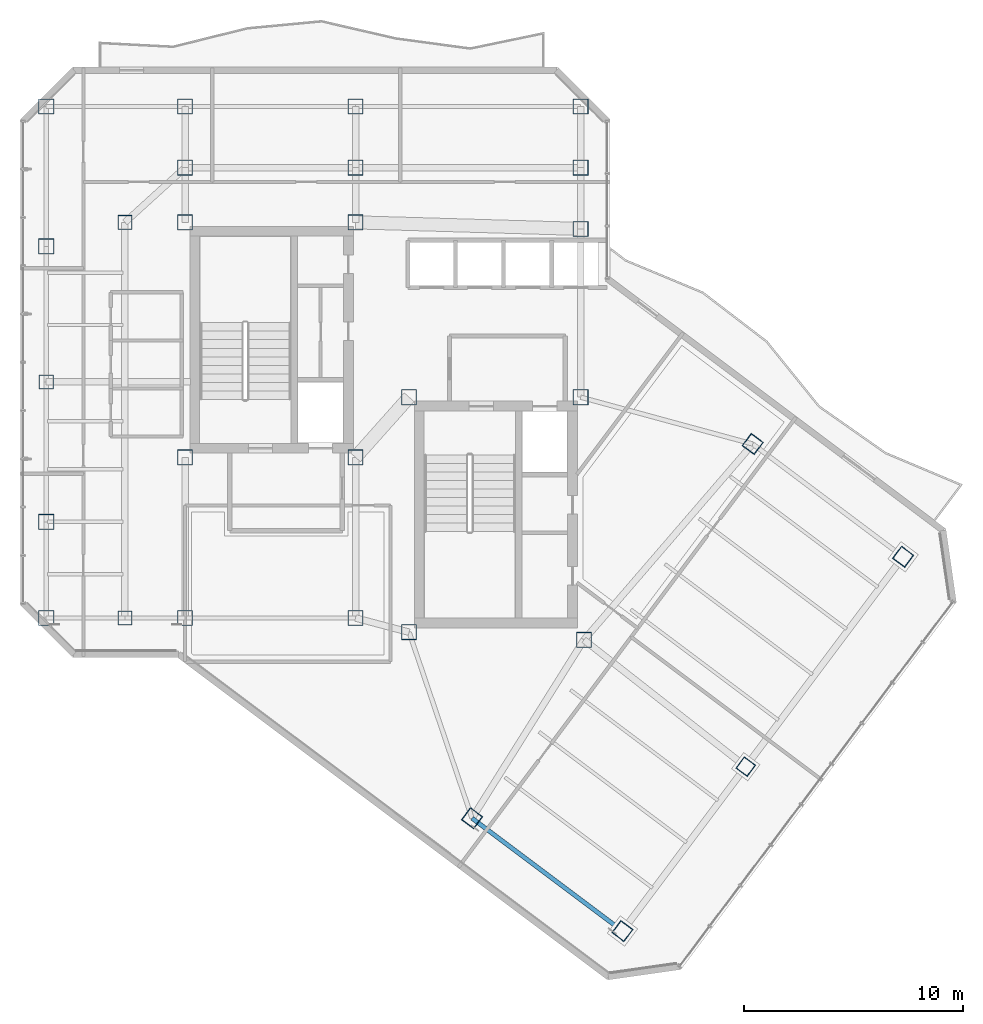
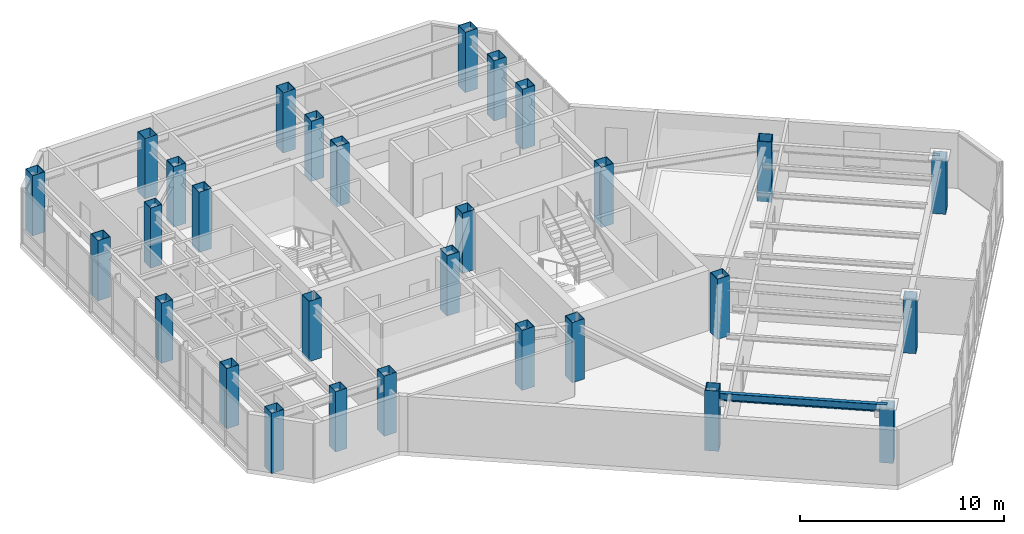
# One storey, part 1 of 25: 29 columns, 1 beam.
"""IFC4 building model written with IfcOpenShell, lengths in metres."""

from ifc_helpers import new_model, si_unit, direction, frame, origin, origin_2d, place, context, subcontext, project, spatial, hollow_rectangle, i_section, extrude, material, material_profile, profile_set, type_object, element, save


model = new_model("IFC4")

# Units and contexts
model_context = context("Model", 3, precision=1e-05, world=origin(), true_north=direction((0.0, 1.0)))
body_context = subcontext(model_context, "Body", "Model", "MODEL_VIEW")
ifc_project = project(units=[si_unit("LENGTHUNIT", "METRE"), si_unit("AREAUNIT", "SQUARE_METRE"), si_unit("VOLUMEUNIT", "CUBIC_METRE"), si_unit("PLANEANGLEUNIT", "RADIAN"), si_unit("MASSUNIT", "GRAM", prefix="KILO")], contexts=[model_context])

# Site, building, storey
site_placement = place(None, origin())
site = spatial("IfcSite", under=ifc_project, at=site_placement, CompositionType="ELEMENT")
building_placement = place(site_placement, origin())
building = spatial("IfcBuilding", under=site, at=building_placement, Name="Hatsunagi Terrace Concourse", CompositionType="ELEMENT")
storey_placement = place(building_placement, frame((0.0, 0.0, 231.14990234375)))
storey = spatial("IfcBuildingStorey", under=building, at=storey_placement, Name="L61", CompositionType="ELEMENT", Elevation=231.14990234375)

# Columns
ifc_material_1 = material(Name="Steel BCP325T", Category="steel")
ifc_material_profile_1 = material_profile(ifc_material_1, hollow_rectangle(XDim=0.64990234375, YDim=0.64990234375, WallThickness=0.02490234375, at=origin_2d()), Name="BCP-650x650x25")
ifc_profile_set_1 = profile_set([ifc_material_profile_1], Name="Steel BCP325T")
column_type_1 = type_object("IfcColumnType", Name="TowerBoxColumn_650x650x25", PredefinedType="COLUMN", material=ifc_profile_set_1)
for number, where, z_axis, x_axis, name in (
    (1, (22.800048828125, 25.199951171875, 0.0), (0.0, 0.0, 1.0), (1.0, 0.0, 0.0), "Column C-09 L61-CW1"),
    (2, (22.800048828125, 43.300048828125, 0.0), (0.0, 0.0, 1.0), (1.0, 0.0, 0.0), "Column C-09 L61-CW2"),
    (3, (19.199951171875, 36.0, 0.0), (0.0, 0.0, 1.0), (1.0, 0.0, 0.0), "Column C-09 L61-WT2"),
):
    element("IfcColumn", number, at=place(storey_placement, frame(where, z_axis=z_axis, x_axis=x_axis)), inside=storey, type_object=column_type_1, Name=name, PredefinedType="COLUMN", context=body_context, shape_type="SweptSolid", body=[
        extrude(hollow_rectangle(XDim=0.64990234375, YDim=0.64990234375, WallThickness=0.02490234375, at=origin_2d()), origin(), (0.0, 0.0, 1.0), 3.60009765625),
    ])
column_placement = place(storey_placement, frame((51.199951171875, 18.39990234375, 0.0), z_axis=(0.0, 0.0, 1.0), x_axis=(0.799999996291, -0.600000004945, 0.0)))
element("IfcColumn", 4, at=column_placement, inside=storey, type_object=column_type_1, Name="Column C-09 L61-SEM2", PredefinedType="COLUMN", context=body_context, shape_type="SweptSolid", body=[
    extrude(hollow_rectangle(XDim=0.64990234375, YDim=0.64990234375, WallThickness=0.02490234375, at=origin_2d()), origin(), (0.0, 0.0, 1.0), 3.26806640625),
])
ifc_material_2 = material(Name="Steel BCP325T", Category="steel")
ifc_material_profile_2 = material_profile(ifc_material_2, hollow_rectangle(XDim=0.699951171875, YDim=0.699951171875, WallThickness=0.028076171875, at=origin_2d()), Name="BCP-700x700x28")
ifc_profile_set_2 = profile_set([ifc_material_profile_2], Name="Steel BCP325T")
column_type_2 = type_object("IfcColumnType", Name="TowerBoxColumn_700x700x28", PredefinedType="COLUMN", material=ifc_profile_set_2)
for number, where, z_axis, x_axis, name in (
    (5, (25.550048828125, 32.550048828125, 0.0), (0.0, 0.0, 1.0), (1.0, 0.0, 0.0), "Column C-08 L61-CASW"),
    (6, (33.35009765625, 32.550048828125, 0.0), (0.0, 0.0, 1.0), (1.0, 0.0, 0.0), "Column C-08 L61-CASE"),
    (7, (25.550048828125, 43.300048828125, 0.0), (0.0, 0.0, 1.0), (1.0, 0.0, 0.0), "Column C-08 L61-CANW"),
    (8, (33.35009765625, 43.300048828125, 0.0), (0.0, 0.0, 1.0), (1.0, 0.0, 0.0), "Column C-08 L61-CANE"),
    (9, (35.800048828125, 24.550048828125, 0.0), (0.0, 0.0, 1.0), (1.0, 0.0, 0.0), "Column C-08 L61-CBSW"),
    (10, (43.800048828125, 24.199951171875, 0.0), (0.0, 0.0, 1.0), (1.0, 0.0, 0.0), "Column C-08 L61-CBSE"),
    (11, (35.800048828125, 35.300048828125, 0.0), (0.0, 0.0, 1.0), (1.0, 0.0, 0.0), "Column C-08 L61-CBNW"),
    (12, (43.64990234375, 35.300048828125, 0.0), (0.0, 0.0, 1.0), (1.0, 0.0, 0.0), "Column C-08 L61-CBNE"),
    (13, (25.550048828125, 25.199951171875, 0.0), (0.0, 0.0, 1.0), (1.0, 0.0, 0.0), "Column C-08 L61-K1"),
    (14, (33.35009765625, 25.199951171875, 0.0), (0.0, 0.0, 1.0), (1.0, 0.0, 0.0), "Column C-08 L61-K2"),
    (15, (43.64990234375, 43.0, 0.0), (0.0, 0.0, 1.0), (1.0, 0.0, 0.0), "Column C-08 L61-K3"),
    (16, (25.550048828125, 45.800048828125, 0.0), (0.0, 0.0, 1.0), (1.0, 0.0, 0.0), "Column C-08 L61-CN1"),
    (17, (33.35009765625, 45.800048828125, 0.0), (0.0, 0.0, 1.0), (1.0, 0.0, 0.0), "Column C-08 L61-CN2"),
    (18, (43.64990234375, 45.800048828125, 0.0), (0.0, 0.0, 1.0), (1.0, 0.0, 0.0), "Column C-08 L61-CN3"),
    (19, (19.199951171875, 48.60009765625, 0.0), (0.0, 0.0, 1.0), (1.0, 0.0, 0.0), "Column C-08 L61-WN3"),
    (20, (25.550048828125, 48.60009765625, 0.0), (0.0, 0.0, 1.0), (1.0, 0.0, 0.0), "Column C-08 L61-WN4"),
    (21, (33.35009765625, 48.60009765625, 0.0), (0.0, 0.0, 1.0), (1.0, 0.0, 0.0), "Column C-08 L61-WN5"),
    (22, (43.64990234375, 48.60009765625, 0.0), (0.0, 0.0, 1.0), (1.0, 0.0, 0.0), "Column C-08 L61-WN6"),
    (23, (19.199951171875, 25.199951171875, 0.0), (0.0, 0.0, 1.0), (1.0, 0.0, 0.0), "Column C-08 L61-WS3"),
    (24, (19.199951171875, 29.60009765625, 0.0), (0.0, 0.0, 1.0), (1.0, 0.0, 0.0), "Column C-08 L61-WR1"),
    (25, (19.199951171875, 42.199951171875, 0.0), (0.0, 0.0, 1.0), (1.0, 0.0, 0.0), "Column C-08 L61-WR2"),
    (26, (38.679931640625, 16.0400390625, 0.0), (0.0, 0.0, 1.0), (0.799999996291, -0.600000004945, 0.0), "Column C-08 L61-SES1"),
    (27, (51.52001953125, 33.159912109375, 0.0), (0.0, 0.0, 1.0), (0.799999996291, -0.600000004945, 0.0), "Column C-08 L61-SEN1"),
):
    element("IfcColumn", number, at=place(storey_placement, frame(where, z_axis=z_axis, x_axis=x_axis)), inside=storey, type_object=column_type_2, Name=name, PredefinedType="COLUMN", context=body_context, shape_type="SweptSolid", body=[
        extrude(hollow_rectangle(XDim=0.699951171875, YDim=0.699951171875, WallThickness=0.028076171875, at=origin_2d()), origin(), (0.0, 0.0, 1.0), 3.60009765625),
    ])
for number, where, z_axis, x_axis, name in (
    (28, (45.56005859375, 10.8798828125, 0.0), (0.0, 0.0, 1.0), (0.799999996291, -0.600000004945, 0.0), "Column C-08 L61-SES2"),
    (29, (58.39990234375, 28.0, 0.0), (0.0, 0.0, 1.0), (0.799999996291, -0.600000004945, 0.0), "Column C-08 L61-SEN2"),
):
    element("IfcColumn", number, at=place(storey_placement, frame(where, z_axis=z_axis, x_axis=x_axis)), inside=storey, type_object=column_type_2, Name=name, PredefinedType="COLUMN", context=body_context, shape_type="SweptSolid", body=[
        extrude(hollow_rectangle(XDim=0.699951171875, YDim=0.699951171875, WallThickness=0.028076171875, at=origin_2d()), origin(), (0.0, 0.0, 1.0), 3.26806640625),
    ])

# Beam
ifc_material_3 = material(Name="Steel SN490B", Category="steel")
ifc_material_profile_3 = material_profile(ifc_material_3, i_section(OverallWidth=0.199951171875, OverallDepth=0.449951171875, WebThickness=0.009033203125, FlangeThickness=0.013916015625, FilletRadius=0.01611328125, at=origin_2d()), Name="H-450x200x9x14")
ifc_profile_set_3 = profile_set([ifc_material_profile_3], Name="Steel SN490B")
beam_type = type_object("IfcBeamType", Name="PerimeterSpandrel_H_450x200", PredefinedType="SPANDREL", material=ifc_profile_set_3)
beam_placement = place(storey_placement, frame((38.679931640625, 16.0400390625, 3.0751953125), z_axis=(0.799996593451, -0.600004542038, 0.0), x_axis=(0.600004542038, 0.799996593451, 0.0)))
element("IfcBeam", 30, at=beam_placement, inside=storey, type_object=beam_type, Name="Beam SP-02 BM-L61-SE-SW2", PredefinedType="SPANDREL", context=body_context, shape_type="SweptSolid", body=[
    extrude(i_section(OverallWidth=0.199951171875, OverallDepth=0.449951171875, WebThickness=0.009033203125, FlangeThickness=0.013916015625, FilletRadius=0.01611328125, at=origin_2d()), origin(), (0.0, 0.0, 1.0), 8.60009765625),
])

save(model, "model.ifc")
